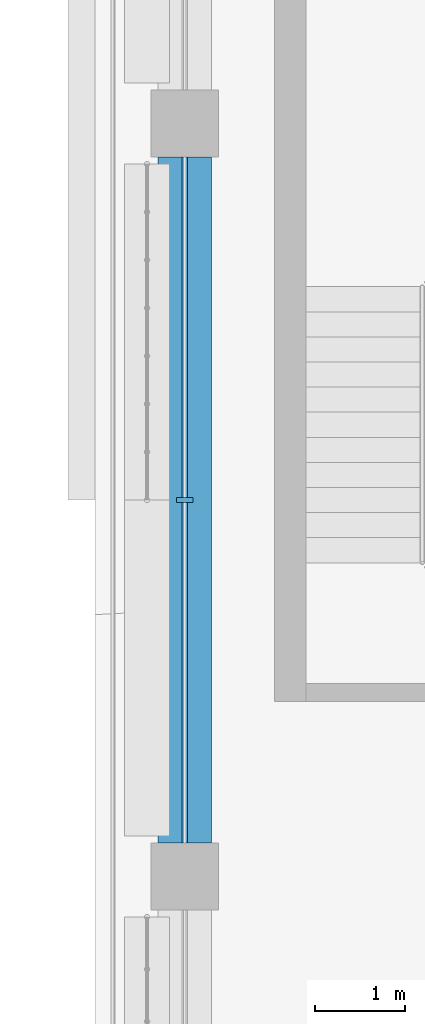
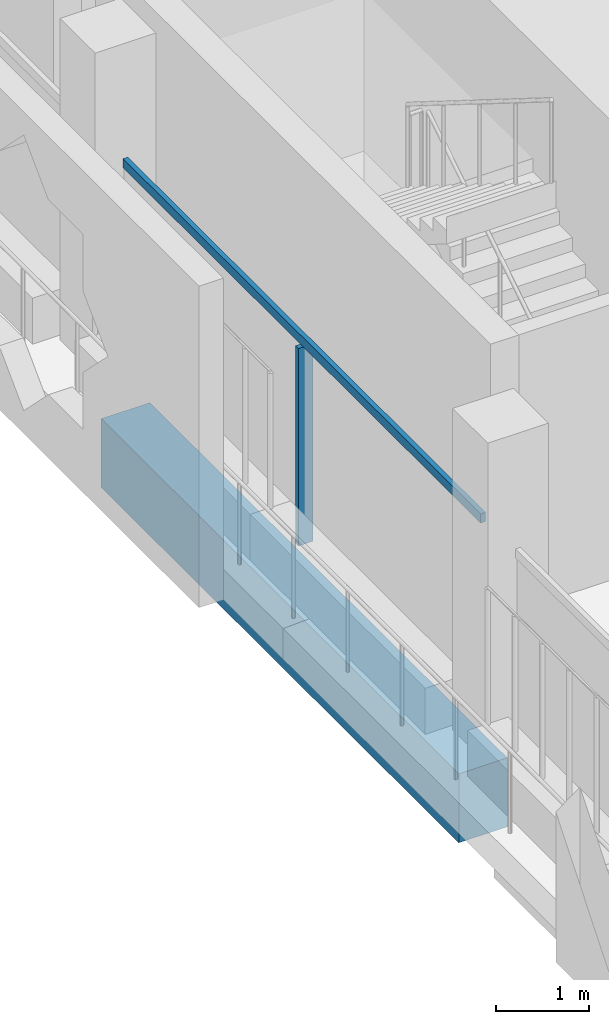
# One storey, part 4 of 21: 2 members, 1 beam, 1 element without a shape of its own.
"""IFC4 building model written with IfcOpenShell, lengths in metres."""

from ifc_helpers import new_model, si_unit, direction, frame, origin, origin_2d, place, context, subcontext, project, spatial, rectangle, extrude, material, layer, layer_set, material_profile, profile_set, type_object, element, aggregate, save


model = new_model("IFC4")

# Units and contexts
model_context = context("Model", 3, precision=1e-05, world=origin(), true_north=direction((0.0, 1.0)))
body_context = subcontext(model_context, "Body", "Model", "MODEL_VIEW")
ifc_project = project(units=[si_unit("LENGTHUNIT", "METRE"), si_unit("AREAUNIT", "SQUARE_METRE"), si_unit("VOLUMEUNIT", "CUBIC_METRE"), si_unit("PLANEANGLEUNIT", "RADIAN"), si_unit("MASSUNIT", "GRAM", prefix="KILO")], contexts=[model_context])

# Site, building, storey
site_placement = place(None, origin())
site = spatial("IfcSite", under=ifc_project, at=site_placement, CompositionType="ELEMENT")
building_placement = place(site_placement, origin())
building = spatial("IfcBuilding", under=site, at=building_placement, Name="Kawkab Arch Medical Tower", CompositionType="ELEMENT")
storey_placement = place(building_placement, frame((0.0, 0.0, 319.60009765625)))
storey = spatial("IfcBuildingStorey", under=building, at=storey_placement, Name="L74", CompositionType="ELEMENT", Elevation=319.60009765625)

# Curtain wall, members
ifc_material_1 = material(Name="Bronze anodised aluminium curtain wall frame", Category="aluminium")
ifc_layer = layer(ifc_material_1, 0.159912109375)
ifc_layer_set = layer_set([ifc_layer], Name="Bronze anodised aluminium curtain wall frame")
curtain_wall_type = type_object("IfcCurtainWallType", Name="CW1 ward curtain wall", PredefinedType="NOTDEFINED", material=ifc_layer_set)
curtain_wall_placement = place(storey_placement, origin())
curtain_wall = element("IfcCurtainWall", 1, at=curtain_wall_placement, inside=storey, type_object=curtain_wall_type, Name="CW1 Ward curtain wall R02", PredefinedType="NOTDEFINED")
ifc_material_2 = material(Name="Bronze anodised aluminium curtain wall frame", Category="aluminium")
ifc_material_profile_1 = material_profile(ifc_material_2, rectangle(XDim=0.179931640625, YDim=0.06005859375, at=origin_2d()), Name="AL 60x180")
ifc_profile_set_1 = profile_set([ifc_material_profile_1], Name="Bronze anodised aluminium curtain wall frame")
member_type_1 = type_object("IfcMemberType", Name="CW1 mullion 60 x 180", PredefinedType="MULLION", material=ifc_profile_set_1)
member_1_placement = place(storey_placement, frame((0.0, -21.0, 0.0), z_axis=(0.0, 0.0, 1.0), x_axis=(1.0, 0.0, 0.0)))
member_1 = element("IfcMember", 2, at=member_1_placement, type_object=member_type_1, Name="CW1 mullion 2.1", PredefinedType="MULLION", context=body_context, shape_type="SweptSolid", body=[
    extrude(rectangle(XDim=0.179931640625, YDim=0.06005859375, at=origin_2d()), origin(), (0.0, 0.0, 1.0), 2.579833984375),
])
ifc_material_3 = material(Name="Bronze anodised aluminium curtain wall frame", Category="aluminium")
ifc_material_profile_2 = material_profile(ifc_material_3, rectangle(XDim=0.06005859375, YDim=0.1201171875, at=origin_2d()), Name="AL 60x120")
ifc_profile_set_2 = profile_set([ifc_material_profile_2], Name="Bronze anodised aluminium curtain wall frame")
member_type_2 = type_object("IfcMemberType", Name="CW1 transom 120 x 60", PredefinedType="USERDEFINED", material=ifc_profile_set_2)
member_2_placement = place(storey_placement, frame((0.0, -17.175048828125, 2.639892578125), z_axis=(0.0, -1.0, 0.0), x_axis=(1.0, 0.0, 0.0)))
member_2 = element("IfcMember", 3, at=member_2_placement, type_object=member_type_2, Name="CW1 transom 2", ObjectType="TRANSOM", PredefinedType="USERDEFINED", context=body_context, shape_type="SweptSolid", body=[
    extrude(rectangle(XDim=0.06005859375, YDim=0.1201171875, at=origin_2d()), origin(), (0.0, 0.0, 1.0), 7.64990234375),
])
aggregate(curtain_wall, [member_2, member_1])

# Beam
ifc_material_4 = material(Name="Concrete C40/50", Category="concrete")
ifc_material_profile_3 = material_profile(ifc_material_4, rectangle(XDim=0.60009765625, YDim=0.89990234375, at=origin_2d()), Name="RC 600x900")
ifc_profile_set_3 = profile_set([ifc_material_profile_3], Name="Concrete C40/50")
beam_type = type_object("IfcBeamType", Name="RC 600x900 beam C40/50", PredefinedType="BEAM", material=ifc_profile_set_3)
beam_placement = place(storey_placement, frame((0.0, -24.824951171875, -1.050048828125), z_axis=(0.0, 1.0, 0.0), x_axis=(-1.0, 0.0, 0.0)))
element("IfcBeam", 4, at=beam_placement, inside=storey, type_object=beam_type, Name="Overhang edge beam L74-04", PredefinedType="BEAM", context=body_context, shape_type="SweptSolid", body=[
    extrude(rectangle(XDim=0.60009765625, YDim=0.89990234375, at=origin_2d()), origin(), (0.0, 0.0, 1.0), 7.64990234375),
])

save(model, "model.ifc")
